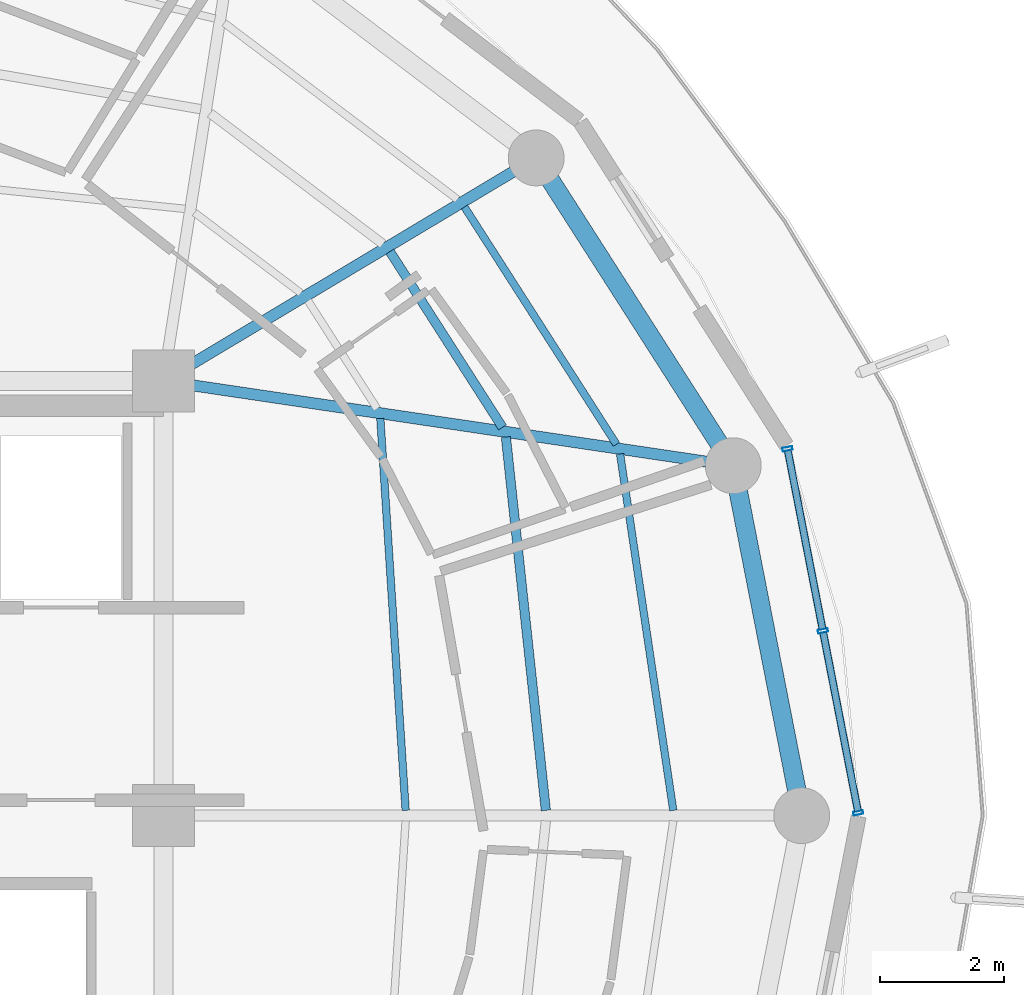
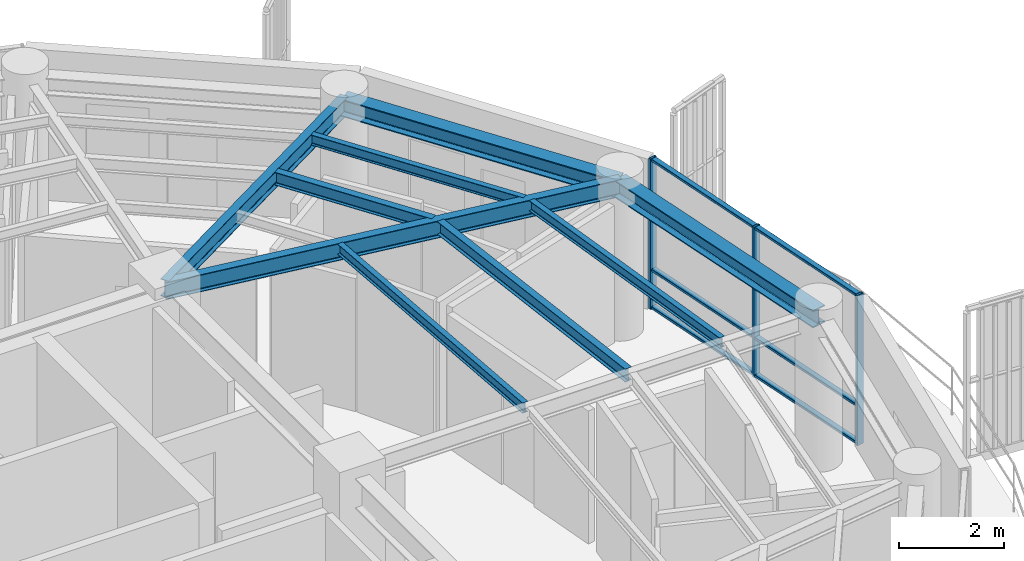
# One storey, part 10 of 22: 9 beams, 9 members, 1 element without a shape of its own.
"""IFC4 building model written with IfcOpenShell, lengths in metres."""

from ifc_helpers import new_model, si_unit, direction, frame, origin, origin_2d, place, context, subcontext, project, spatial, hollow_rectangle, i_section, extrude, material, layer, layer_set, material_profile, profile_set, type_object, element, aggregate, save


model = new_model("IFC4")

# Units and contexts
model_context = context("Model", 3, precision=1e-05, world=origin(), true_north=direction((0.0, 1.0)))
body_context = subcontext(model_context, "Body", "Model", "MODEL_VIEW")
ifc_project = project(units=[si_unit("LENGTHUNIT", "METRE"), si_unit("AREAUNIT", "SQUARE_METRE"), si_unit("VOLUMEUNIT", "CUBIC_METRE"), si_unit("PLANEANGLEUNIT", "RADIAN"), si_unit("MASSUNIT", "GRAM", prefix="KILO")], contexts=[model_context])

# Site, building, storey
site_placement = place(None, origin())
site = spatial("IfcSite", under=ifc_project, at=site_placement, CompositionType="ELEMENT")
building_placement = place(site_placement, origin())
building = spatial("IfcBuilding", under=site, at=building_placement, Name="Kelanora Arch Commons", CompositionType="ELEMENT")
storey_placement = place(building_placement, frame((0.0, 0.0, 263.699951171875)))
storey = spatial("IfcBuildingStorey", under=building, at=storey_placement, Name="L67", CompositionType="ELEMENT", Elevation=263.699951171875)

# Beams
ifc_material_1 = material(Name="Steel S355", Category="steel")
ifc_material_profile_1 = material_profile(ifc_material_1, i_section(OverallWidth=0.14990234375, OverallDepth=0.300048828125, WebThickness=0.007080078125, FlangeThickness=0.0107421875, FilletRadius=0.014892578125, at=origin_2d()), Name="IPE300")
ifc_profile_set_1 = profile_set([ifc_material_profile_1], Name="Steel S355")
beam_type_1 = type_object("IfcBeamType", Name="BM-JST-01", PredefinedType="JOIST", material=ifc_profile_set_1)
beam_1_placement = place(storey_placement, frame((88.158935546875, 58.08447265625, 3.340087890625), z_axis=(-0.106380594087, 0.994325484538, 0.0), x_axis=(-0.994325484538, -0.106380594087, 0.0)))
element("IfcBeam", 1, at=beam_1_placement, inside=storey, type_object=beam_type_1, Name="Secondary Chord Joist BJB-00 L67", PredefinedType="JOIST", context=body_context, shape_type="SweptSolid", body=[
    extrude(i_section(OverallWidth=0.14990234375, OverallDepth=0.300048828125, WebThickness=0.007080078125, FlangeThickness=0.0107421875, FilletRadius=0.014892578125, at=origin_2d()), origin(), (0.0, 0.0, 1.0), 6.04736328125),
])
beam_2_placement = place(storey_placement, frame((87.460693359375, 64.25341796875, 3.340087890625), z_axis=(-0.539321586177, 0.842099891155, 0.0), x_axis=(-0.842099891155, -0.539321586177, 0.0)))
element("IfcBeam", 2, at=beam_2_placement, inside=storey, type_object=beam_type_1, Name="Secondary Chord Joist BJB-02 L67", PredefinedType="JOIST", context=body_context, shape_type="SweptSolid", body=[
    extrude(i_section(OverallWidth=0.14990234375, OverallDepth=0.300048828125, WebThickness=0.007080078125, FlangeThickness=0.0107421875, FilletRadius=0.014892578125, at=origin_2d()), origin(), (0.0, 0.0, 1.0), 3.361572265625),
])
ifc_material_profile_2 = material_profile(ifc_material_1, i_section(OverallWidth=0.1201171875, OverallDepth=0.239990234375, WebThickness=0.006103515625, FlangeThickness=0.009765625, FilletRadius=0.014892578125, at=origin_2d()), Name="IPE240")
ifc_profile_set_2 = profile_set([ifc_material_profile_2], Name="Steel S355")
beam_type_2 = type_object("IfcBeamType", Name="BM-JST-02", PredefinedType="JOIST", material=ifc_profile_set_2)
beam_3_placement = place(storey_placement, frame((85.90087890625, 58.084716796875, 3.3701171875), z_axis=(-0.064495107978, 0.99791802321, 0.0), x_axis=(-0.99791802321, -0.064495107978, 0.0)))
element("IfcBeam", 3, at=beam_3_placement, inside=storey, type_object=beam_type_2, Name="Secondary Chord Joist BJA-00 L67", PredefinedType="JOIST", context=body_context, shape_type="SweptSolid", body=[
    extrude(i_section(OverallWidth=0.1201171875, OverallDepth=0.239990234375, WebThickness=0.006103515625, FlangeThickness=0.009765625, FilletRadius=0.014892578125, at=origin_2d()), origin(), (0.0, 0.0, 1.0), 6.325439453125),
])
beam_4_placement = place(storey_placement, frame((90.21142578125, 58.083984375, 3.3701171875), z_axis=(-0.14762470282, 0.989043450571, 0.0), x_axis=(-0.989043450571, -0.14762470282, 0.0)))
element("IfcBeam", 4, at=beam_4_placement, inside=storey, type_object=beam_type_2, Name="Secondary Chord Joist BJC-00 L67", PredefinedType="JOIST", context=body_context, shape_type="SweptSolid", body=[
    extrude(i_section(OverallWidth=0.1201171875, OverallDepth=0.239990234375, WebThickness=0.006103515625, FlangeThickness=0.009765625, FilletRadius=0.014892578125, at=origin_2d()), origin(), (0.0, 0.0, 1.0), 5.804931640625),
])
beam_5_placement = place(storey_placement, frame((89.296142578125, 63.980712890625, 3.3701171875), z_axis=(-0.539288735289, 0.842120929552, 0.0), x_axis=(-0.842120929552, -0.539288735289, 0.0)))
element("IfcBeam", 5, at=beam_5_placement, inside=storey, type_object=beam_type_2, Name="Secondary Chord Joist BJC-02 L67", PredefinedType="JOIST", context=body_context, shape_type="SweptSolid", body=[
    extrude(i_section(OverallWidth=0.1201171875, OverallDepth=0.239990234375, WebThickness=0.006103515625, FlangeThickness=0.009765625, FilletRadius=0.014892578125, at=origin_2d()), origin(), (0.0, 0.0, 1.0), 4.538818359375),
])
ifc_material_profile_3 = material_profile(ifc_material_1, i_section(OverallWidth=0.179931640625, OverallDepth=0.39990234375, WebThickness=0.008544921875, FlangeThickness=0.013427734375, FilletRadius=0.02099609375, at=origin_2d()), Name="IPE400")
ifc_profile_set_3 = profile_set([ifc_material_profile_3], Name="Steel S355")
beam_type_3 = type_object("IfcBeamType", Name="BM-RAD-Z5", PredefinedType="BEAM", material=ifc_profile_set_3)
beam_6_placement = place(storey_placement, frame((82.0, 65.0, 3.2900390625), z_axis=(0.989142485564, -0.146959665395, 0.0), x_axis=(0.146959665395, 0.989142485564, 0.0)))
element("IfcBeam", 6, at=beam_6_placement, inside=storey, type_object=beam_type_3, Name="Radial Floor Girder BR-02 L67", PredefinedType="BEAM", context=body_context, shape_type="SweptSolid", body=[
    extrude(i_section(OverallWidth=0.179931640625, OverallDepth=0.39990234375, WebThickness=0.008544921875, FlangeThickness=0.013427734375, FilletRadius=0.02099609375, at=origin_2d()), origin(), (0.0, 0.0, 1.0), 9.2783203125),
])
beam_7_placement = place(storey_placement, frame((82.0, 65.0, 3.2900390625), z_axis=(0.858062005744, 0.513546097541, 0.0), x_axis=(-0.513546097541, 0.858062005744, 0.0)))
element("IfcBeam", 7, at=beam_7_placement, inside=storey, type_object=beam_type_3, Name="Radial Floor Girder BR-04 L67", PredefinedType="BEAM", context=body_context, shape_type="SweptSolid", body=[
    extrude(i_section(OverallWidth=0.179931640625, OverallDepth=0.39990234375, WebThickness=0.008544921875, FlangeThickness=0.013427734375, FilletRadius=0.02099609375, at=origin_2d()), origin(), (0.0, 0.0, 1.0), 6.99658203125),
])
ifc_material_profile_4 = material_profile(ifc_material_1, i_section(OverallWidth=0.300048828125, OverallDepth=0.39990234375, WebThickness=0.013427734375, FlangeThickness=0.02392578125, FilletRadius=0.027099609375, at=origin_2d()), Name="HEB400")
ifc_profile_set_4 = profile_set([ifc_material_profile_4], Name="Steel S355")
beam_type_4 = type_object("IfcBeamType", Name="BM-SPN-Z4", PredefinedType="SPANDREL", material=ifc_profile_set_4)
beam_8_placement = place(storey_placement, frame((92.280029296875, 58.0, 3.2900390625), z_axis=(-0.191969774604, 0.981400838413, 0.0), x_axis=(-0.981400838413, -0.191969774604, 0.0)))
element("IfcBeam", 8, at=beam_8_placement, inside=storey, type_object=beam_type_4, Name="Perimeter Spandrel Beam BS-00 L67", PredefinedType="SPANDREL", context=body_context, shape_type="SweptSolid", body=[
    extrude(i_section(OverallWidth=0.300048828125, OverallDepth=0.39990234375, WebThickness=0.013427734375, FlangeThickness=0.02392578125, FilletRadius=0.027099609375, at=origin_2d()), origin(), (0.0, 0.0, 1.0), 5.743408203125),
])
beam_9_placement = place(storey_placement, frame((91.177490234375, 63.636474609375, 3.2900390625), z_axis=(-0.539280851353, 0.842125978322, 0.0), x_axis=(-0.842125978322, -0.539280851353, 0.0)))
element("IfcBeam", 9, at=beam_9_placement, inside=storey, type_object=beam_type_4, Name="Perimeter Spandrel Beam BS-02 L67", PredefinedType="SPANDREL", context=body_context, shape_type="SweptSolid", body=[
    extrude(i_section(OverallWidth=0.300048828125, OverallDepth=0.39990234375, WebThickness=0.013427734375, FlangeThickness=0.02392578125, FilletRadius=0.027099609375, at=origin_2d()), origin(), (0.0, 0.0, 1.0), 5.8857421875),
])

# Curtain wall, members
ifc_material_2 = material(Name="Terracotta ceramic-fritted low-E glass and aluminium", Category="masonry")
ifc_layer = layer(ifc_material_2, 0.18994140625)
ifc_layer_set = layer_set([ifc_layer], Name="Terracotta ceramic-fritted low-E glass and aluminium")
curtain_wall_type = type_object("IfcCurtainWallType", Name="CW-SYS-03", PredefinedType="NOTDEFINED", material=ifc_layer_set)
curtain_wall_placement = place(storey_placement, origin())
curtain_wall = element("IfcCurtainWall", 10, at=curtain_wall_placement, inside=storey, type_object=curtain_wall_type, Name="Unitised Curtain Wall L67-B00", PredefinedType="NOTDEFINED")
ifc_material_3 = material(Name="Powder-coated aluminium terracotta", Category="masonry")
ifc_material_profile_5 = material_profile(ifc_material_3, hollow_rectangle(XDim=0.159912109375, YDim=0.06005859375, WallThickness=0.0048828125, InnerFilletRadius=0.0048828125, OuterFilletRadius=0.010009765625, at=origin_2d()), Name="CWM160x60")
ifc_profile_set_5 = profile_set([ifc_material_profile_5], Name="Powder-coated aluminium terracotta")
member_type_1 = type_object("IfcMemberType", Name="CWM-STD", PredefinedType="MULLION", material=ifc_profile_set_5)
member_1_placement = place(storey_placement, frame((93.19140625, 58.044189453125, 0.0), z_axis=(0.0, 0.0, 1.0), x_axis=(-0.981595542501, -0.190971701941, 0.0)))
member_1 = element("IfcMember", 11, at=member_1_placement, type_object=member_type_1, Name="CW-03 mullion 1", PredefinedType="MULLION", context=body_context, shape_type="SweptSolid", body=[
    extrude(hollow_rectangle(XDim=0.159912109375, YDim=0.06005859375, WallThickness=0.0048828125, InnerFilletRadius=0.0048828125, OuterFilletRadius=0.010009765625, at=origin_2d()), origin(), (0.0, 0.0, 1.0), 3.47509765625),
])
member_2_placement = place(storey_placement, frame((92.62109375, 60.9755859375, 0.0), z_axis=(0.0, 0.0, 1.0), x_axis=(-0.981595542501, -0.190971701941, 0.0)))
member_2 = element("IfcMember", 12, at=member_2_placement, type_object=member_type_1, Name="CW-03 mullion 2", PredefinedType="MULLION", context=body_context, shape_type="SweptSolid", body=[
    extrude(hollow_rectangle(XDim=0.159912109375, YDim=0.06005859375, WallThickness=0.0048828125, InnerFilletRadius=0.0048828125, OuterFilletRadius=0.010009765625, at=origin_2d()), origin(), (0.0, 0.0, 1.0), 3.47509765625),
])
member_3_placement = place(storey_placement, frame((92.05078125, 63.906982421875, 0.0), z_axis=(0.0, 0.0, 1.0), x_axis=(-0.981595542501, -0.190971701941, 0.0)))
member_3 = element("IfcMember", 13, at=member_3_placement, type_object=member_type_1, Name="CW-03 mullion 3", PredefinedType="MULLION", context=body_context, shape_type="SweptSolid", body=[
    extrude(hollow_rectangle(XDim=0.159912109375, YDim=0.06005859375, WallThickness=0.0048828125, InnerFilletRadius=0.0048828125, OuterFilletRadius=0.010009765625, at=origin_2d()), origin(), (0.0, 0.0, 1.0), 3.47509765625),
])
ifc_material_profile_6 = material_profile(ifc_material_3, hollow_rectangle(XDim=0.1201171875, YDim=0.06005859375, WallThickness=0.0048828125, InnerFilletRadius=0.0048828125, OuterFilletRadius=0.010009765625, at=origin_2d()), Name="CWT120x60")
ifc_profile_set_6 = profile_set([ifc_material_profile_6], Name="Powder-coated aluminium terracotta")
member_type_2 = type_object("IfcMemberType", Name="CWT-STD", PredefinedType="USERDEFINED", material=ifc_profile_set_6)
member_4_placement = place(storey_placement, frame((93.185546875, 58.073486328125, 0.030029296875), z_axis=(-0.190963443354, 0.981597149192, 0.0), x_axis=(-0.981597149192, -0.190963443354, 0.0)))
member_4 = element("IfcMember", 14, at=member_4_placement, type_object=member_type_2, Name="CW-03 transom 1.1", ObjectType="TRANSOM", PredefinedType="USERDEFINED", context=body_context, shape_type="SweptSolid", body=[
    extrude(hollow_rectangle(XDim=0.1201171875, YDim=0.06005859375, WallThickness=0.0048828125, InnerFilletRadius=0.0048828125, OuterFilletRadius=0.010009765625, at=origin_2d()), origin(), (0.0, 0.0, 1.0), 2.926513671875),
])
member_5_placement = place(storey_placement, frame((93.185546875, 58.073486328125, 0.900146484375), z_axis=(-0.190963443354, 0.981597149192, 0.0), x_axis=(-0.981597149192, -0.190963443354, 0.0)))
member_5 = element("IfcMember", 15, at=member_5_placement, type_object=member_type_2, Name="CW-03 transom 1.2", ObjectType="TRANSOM", PredefinedType="USERDEFINED", context=body_context, shape_type="SweptSolid", body=[
    extrude(hollow_rectangle(XDim=0.1201171875, YDim=0.06005859375, WallThickness=0.0048828125, InnerFilletRadius=0.0048828125, OuterFilletRadius=0.010009765625, at=origin_2d()), origin(), (0.0, 0.0, 1.0), 2.926513671875),
])
member_6_placement = place(storey_placement, frame((93.185546875, 58.073486328125, 3.445068359375), z_axis=(-0.190963443354, 0.981597149192, 0.0), x_axis=(-0.981597149192, -0.190963443354, 0.0)))
member_6 = element("IfcMember", 16, at=member_6_placement, type_object=member_type_2, Name="CW-03 transom 1.3", ObjectType="TRANSOM", PredefinedType="USERDEFINED", context=body_context, shape_type="SweptSolid", body=[
    extrude(hollow_rectangle(XDim=0.1201171875, YDim=0.06005859375, WallThickness=0.0048828125, InnerFilletRadius=0.0048828125, OuterFilletRadius=0.010009765625, at=origin_2d()), origin(), (0.0, 0.0, 1.0), 2.926513671875),
])
member_7_placement = place(storey_placement, frame((92.615234375, 61.005126953125, 0.030029296875), z_axis=(-0.190963443354, 0.981597149192, 0.0), x_axis=(-0.981597149192, -0.190963443354, 0.0)))
member_7 = element("IfcMember", 17, at=member_7_placement, type_object=member_type_2, Name="CW-03 transom 2.1", ObjectType="TRANSOM", PredefinedType="USERDEFINED", context=body_context, shape_type="SweptSolid", body=[
    extrude(hollow_rectangle(XDim=0.1201171875, YDim=0.06005859375, WallThickness=0.0048828125, InnerFilletRadius=0.0048828125, OuterFilletRadius=0.010009765625, at=origin_2d()), origin(), (0.0, 0.0, 1.0), 2.926513671875),
])
member_8_placement = place(storey_placement, frame((92.615234375, 61.005126953125, 0.900146484375), z_axis=(-0.190963443354, 0.981597149192, 0.0), x_axis=(-0.981597149192, -0.190963443354, 0.0)))
member_8 = element("IfcMember", 18, at=member_8_placement, type_object=member_type_2, Name="CW-03 transom 2.2", ObjectType="TRANSOM", PredefinedType="USERDEFINED", context=body_context, shape_type="SweptSolid", body=[
    extrude(hollow_rectangle(XDim=0.1201171875, YDim=0.06005859375, WallThickness=0.0048828125, InnerFilletRadius=0.0048828125, OuterFilletRadius=0.010009765625, at=origin_2d()), origin(), (0.0, 0.0, 1.0), 2.926513671875),
])
member_9_placement = place(storey_placement, frame((92.615234375, 61.005126953125, 3.445068359375), z_axis=(-0.190963443354, 0.981597149192, 0.0), x_axis=(-0.981597149192, -0.190963443354, 0.0)))
member_9 = element("IfcMember", 19, at=member_9_placement, type_object=member_type_2, Name="CW-03 transom 2.3", ObjectType="TRANSOM", PredefinedType="USERDEFINED", context=body_context, shape_type="SweptSolid", body=[
    extrude(hollow_rectangle(XDim=0.1201171875, YDim=0.06005859375, WallThickness=0.0048828125, InnerFilletRadius=0.0048828125, OuterFilletRadius=0.010009765625, at=origin_2d()), origin(), (0.0, 0.0, 1.0), 2.926513671875),
])
aggregate(curtain_wall, [member_1, member_2, member_3, member_4, member_5, member_6, member_7, member_8, member_9])

save(model, "model.ifc")
